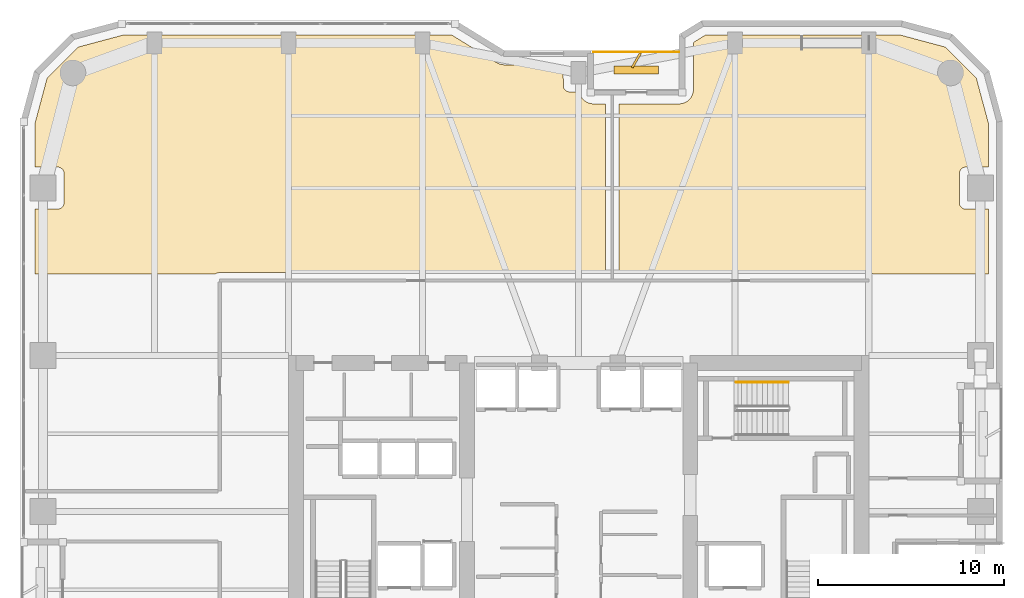
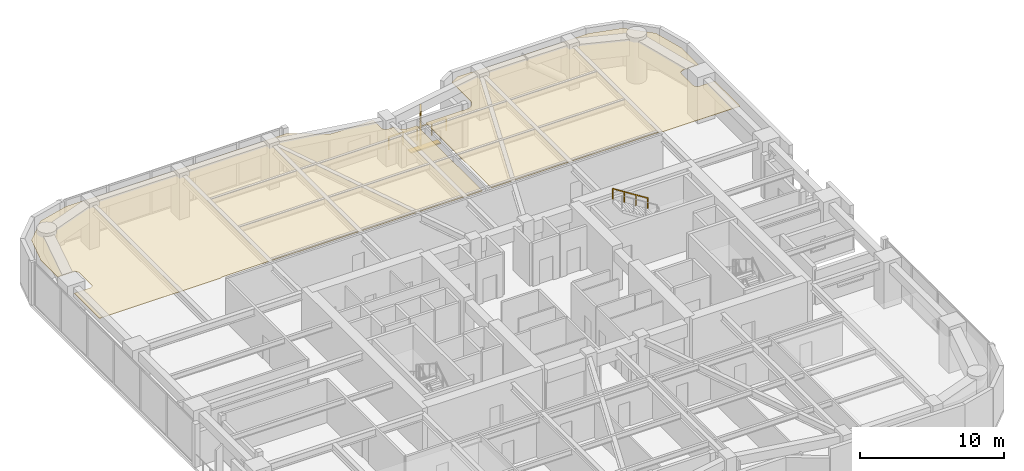
# One storey, part 24 of 24: 2 coverings, 2 railings, 2 shading devices.
"""IFC4 building model written with IfcOpenShell, lengths in metres."""

from ifc_helpers import new_model, si_unit, direction, frame, origin, origin_2d, place, context, subcontext, project, spatial, polyline, rectangle, outline, extrude, material, layer, layer_set, type_object, element, save


model = new_model("IFC4")

# Units and contexts
model_context = context("Model", 3, precision=1e-05, world=origin(), true_north=direction((0.0, 1.0)))
body_context = subcontext(model_context, "Body", "Model", "MODEL_VIEW")
ifc_project = project(units=[si_unit("LENGTHUNIT", "METRE"), si_unit("AREAUNIT", "SQUARE_METRE"), si_unit("VOLUMEUNIT", "CUBIC_METRE"), si_unit("PLANEANGLEUNIT", "RADIAN"), si_unit("MASSUNIT", "GRAM", prefix="KILO")], contexts=[model_context])

# Site, building, storey
site_placement = place(None, origin())
site = spatial("IfcSite", under=ifc_project, at=site_placement, CompositionType="ELEMENT")
building_placement = place(site_placement, origin())
building = spatial("IfcBuilding", under=site, at=building_placement, Name="Kiyonajd Concourse Tower", CompositionType="ELEMENT")
storey_placement = place(building_placement, frame((0.0, 0.0, 129.89990234375)))
storey = spatial("IfcBuildingStorey", under=building, at=storey_placement, Name="L33", CompositionType="ELEMENT", Elevation=129.89990234375)

# Coverings
ifc_material_1 = material(Name="Natural Oak Acoustic Timber Veneer", Category="wood")
ifc_layer = layer(ifc_material_1, 0.0400390625)
ifc_layer_set = layer_set([ifc_layer], Name="Natural Oak Acoustic Timber Veneer")
covering_type = type_object("IfcCoveringType", Name="CV-CLG-ACST", PredefinedType="CEILING", material=ifc_layer_set)
covering_1_placement = place(storey_placement, frame((0.0, 0.0, 3.460205078125)))
element("IfcCovering", 1, at=covering_1_placement, inside=storey, type_object=covering_type, Name="L33-50 Room Acoustic Ceiling", PredefinedType="CEILING", context=body_context, shape_type="SweptSolid", body=[
    extrude(outline(polyline([(21.097900390625, 60.986083984375), (23.5009765625, 61.6298828125), (41.181884765625, 61.6298828125), (43.596923828125, 60.14404296875), (43.722900390625, 60.0810546875), (43.826904296875, 60.050048828125), (44.0, 60.030029296875), (47.169921875, 60.030029296875), (47.172119140625, 58.885986328125), (47.197021484375, 58.785888671875), (47.22900390625, 58.72607421875), (47.27294921875, 58.673095703125), (47.325927734375, 58.62890625), (47.385986328125, 58.596923828125), (47.486083984375, 58.572021484375), (48.041015625, 58.570068359375), (48.05810546875, 58.492919921875), (48.092041015625, 58.39599609375), (48.14306640625, 58.300048828125), (48.215087890625, 58.198974609375), (48.26806640625, 58.14306640625), (48.341064453125, 58.0830078125), (48.448974609375, 58.014892578125), (48.56005859375, 57.968994140625), (48.6669921875, 57.94189453125), (48.758056640625, 57.931884765625), (49.449951171875, 57.930908203125), (49.449951171875, 48.860107421875), (28.699951171875, 48.860107421875), (28.570068359375, 48.840087890625), (28.507080078125, 48.81396484375), (28.451904296875, 48.780029296875), (18.77001953125, 48.780029296875), (18.77001953125, 52.27001953125), (19.97998046875, 52.27001953125), (20.048095703125, 52.277099609375), (20.14501953125, 52.31103515625), (20.201904296875, 52.34912109375), (20.2509765625, 52.39794921875), (20.2890625, 52.455078125), (20.31494140625, 52.51806640625), (20.330078125, 52.6201171875), (20.330078125, 54.179931640625), (20.31494140625, 54.281982421875), (20.2890625, 54.344970703125), (20.2509765625, 54.402099609375), (20.201904296875, 54.450927734375), (20.14501953125, 54.489013671875), (20.08203125, 54.514892578125), (20.013916015625, 54.528076171875), (18.77001953125, 54.530029296875), (18.77001953125, 56.89892578125), (19.4140625, 59.302001953125), (21.097900390625, 60.986083984375)])), origin(), (0.0, 0.0, 1.0), 0.039794921875),
])
covering_2_placement = place(storey_placement, frame((0.0, 0.0, 3.460205078125)))
element("IfcCovering", 2, at=covering_2_placement, inside=storey, type_object=covering_type, Name="L33-51 Room Acoustic Ceiling", PredefinedType="CEILING", context=body_context, shape_type="SweptSolid", body=[
    extrude(outline(polyline([(53.532958984375, 57.94189453125), (53.639892578125, 57.968994140625), (53.72802734375, 58.00390625), (53.839111328125, 58.068115234375), (53.95703125, 58.16796875), (54.031982421875, 58.260986328125), (54.095947265625, 58.3720703125), (54.131103515625, 58.4599609375), (54.157958984375, 58.56689453125), (54.16796875, 58.658935546875), (54.169921875, 61.23095703125), (54.818115234375, 61.6298828125), (65.299072265625, 61.6298828125), (67.701904296875, 60.986083984375), (69.385986328125, 59.302001953125), (70.030029296875, 56.89892578125), (70.030029296875, 54.530029296875), (68.820068359375, 54.530029296875), (68.751953125, 54.52294921875), (68.655029296875, 54.489013671875), (68.597900390625, 54.450927734375), (68.549072265625, 54.402099609375), (68.510986328125, 54.344970703125), (68.485107421875, 54.281982421875), (68.469970703125, 54.179931640625), (68.469970703125, 52.6201171875), (68.485107421875, 52.51806640625), (68.510986328125, 52.455078125), (68.549072265625, 52.39794921875), (68.597900390625, 52.34912109375), (68.655029296875, 52.31103515625), (68.718017578125, 52.284912109375), (68.785888671875, 52.27197265625), (70.030029296875, 52.27001953125), (70.030029296875, 48.780029296875), (63.847900390625, 48.780029296875), (63.79296875, 48.81396484375), (63.72998046875, 48.840087890625), (63.60009765625, 48.860107421875), (50.169921875, 48.860107421875), (50.169921875, 57.929931640625), (53.44091796875, 57.931884765625), (53.532958984375, 57.94189453125)])), origin(), (0.0, 0.0, 1.0), 0.039794921875),
])

# Railings
ifc_material_2 = material(Name="Thermally Broken Anodised Aluminium", Category="aluminium")
railing_type_1 = type_object("IfcRailingType", Name="RL-GRD-LOG", PredefinedType="GUARDRAIL", material=ifc_material_2)
railing_1_placement = place(storey_placement, frame((53.39990234375, 60.719970703125, 0.0)))
element("IfcRailing", 3, at=railing_1_placement, inside=storey, type_object=railing_type_1, Name="L33 Engawa Loggia Perimeter Guard LOG-N", PredefinedType="GUARDRAIL", context=body_context, shape_type="SweptSolid", body=[
    extrude(rectangle(XDim=0.048095703125, YDim=0.048095703125, at=origin_2d()), frame((0.0, 0.0, 1.076171875), z_axis=(-1.0, 0.0, 0.0), x_axis=(0.0, -1.0, 0.0)), (0.0, 0.0, 1.0), 4.599853515625),
    extrude(rectangle(XDim=0.0419921875, YDim=0.0419921875, at=origin_2d()), origin(), (0.0, 0.0, 1.0), 1.052001953125),
    extrude(rectangle(XDim=0.0419921875, YDim=0.0419921875, at=origin_2d()), frame((-1.14990234375, 0.0, 0.0)), (0.0, 0.0, 1.0), 1.052001953125),
    extrude(rectangle(XDim=0.0419921875, YDim=0.0419921875, at=origin_2d()), frame((-2.2998046875, 0.0, 0.0)), (0.0, 0.0, 1.0), 1.052001953125),
    extrude(rectangle(XDim=0.0419921875, YDim=0.0419921875, at=origin_2d()), frame((-3.449951171875, 0.0, 0.0)), (0.0, 0.0, 1.0), 1.052001953125),
    extrude(rectangle(XDim=0.0419921875, YDim=0.0419921875, at=origin_2d()), frame((-4.599853515625, 0.0, 0.0)), (0.0, 0.0, 1.0), 1.052001953125),
])
ifc_material_3 = material(Name="Brushed Stainless Steel Cab Assembly", Category="steel")
railing_type_2 = type_object("IfcRailingType", Name="RL-HND-900", PredefinedType="HANDRAIL", material=ifc_material_3)
railing_2_placement = place(storey_placement, frame((59.280029296875, 42.969970703125, 2.12744140625)))
element("IfcRailing", 4, at=railing_2_placement, inside=storey, type_object=railing_type_2, Name="L33 ST3 stair handrail 2", PredefinedType="HANDRAIL", context=body_context, shape_type="SweptSolid", body=[
    extrude(rectangle(XDim=0.048095703125, YDim=0.048095703125, at=origin_2d()), frame((0.0, 0.0, 0.8759765625), z_axis=(-0.844908973607, 0.0, 0.534910110503), x_axis=(0.0, -1.0, 0.0)), (0.0, 0.0, 1.0), 3.31396484375),
    extrude(rectangle(XDim=0.0419921875, YDim=0.0419921875, at=origin_2d()), origin(), (0.0, 0.0, 1.0), 0.851806640625),
    extrude(rectangle(XDim=0.0419921875, YDim=0.0419921875, at=origin_2d()), frame((-0.933349609375, 0.0, 0.5908203125)), (0.0, 0.0, 1.0), 0.851806640625),
    extrude(rectangle(XDim=0.0419921875, YDim=0.0419921875, at=origin_2d()), frame((-1.86669921875, 0.0, 1.181884765625)), (0.0, 0.0, 1.0), 0.851806640625),
    extrude(rectangle(XDim=0.0419921875, YDim=0.0419921875, at=origin_2d()), frame((-2.800048828125, 0.0, 1.772705078125)), (0.0, 0.0, 1.0), 0.851806640625),
])

# Shading devices
ifc_material_4 = material(Name="Precast concrete C50/60", Category="concrete")
shading_device_type_1 = type_object("IfcShadingDeviceType", Name="SH-FIN-900", PredefinedType="USERDEFINED", material=ifc_material_4)
shading_device_1_placement = place(storey_placement, frame((51.10009765625, 60.27001953125, 0.0), z_axis=(0.0, 0.0, 1.0), x_axis=(0.5, 0.866025403784, 0.0)))
element("IfcShadingDevice", 5, at=shading_device_1_placement, inside=storey, type_object=shading_device_type_1, Name="L33 Angled Koshi Solar Fin LOG-N", ObjectType="FIN", PredefinedType="USERDEFINED", context=body_context, shape_type="SweptSolid", body=[
    extrude(rectangle(XDim=0.89990234375, YDim=0.1201171875, at=origin_2d()), origin(), (0.0, 0.0, 1.0), 3.0),
])
shading_device_type_2 = type_object("IfcShadingDeviceType", Name="SH-LVR-600", PredefinedType="JALOUSIE", material=ifc_material_2)
shading_device_2_placement = place(storey_placement, frame((51.10009765625, 59.75, 0.0), z_axis=(0.0, 0.0, 1.0), x_axis=(1.0, 0.0, 0.0)))
element("IfcShadingDevice", 6, at=shading_device_2_placement, inside=storey, type_object=shading_device_type_2, Name="L33 Loggia Threshold Louver LOG-N", PredefinedType="JALOUSIE", context=body_context, shape_type="SweptSolid", body=[
    extrude(rectangle(XDim=2.39990234375, YDim=0.449951171875, at=origin_2d()), origin(), (0.0, 0.0, 1.0), 0.10009765625),
])

save(model, "model.ifc")
